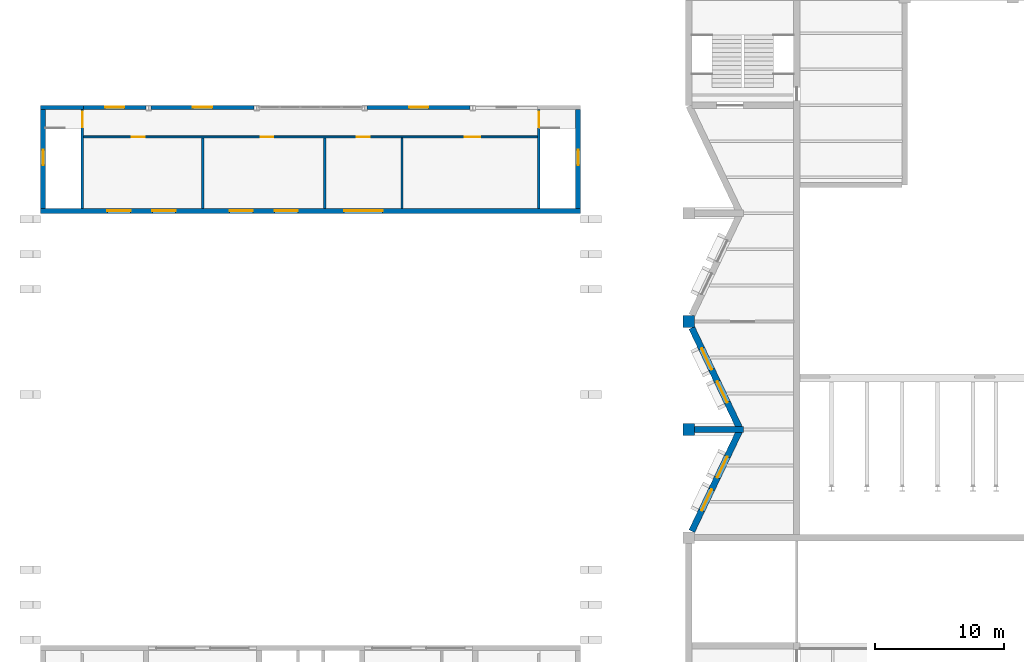
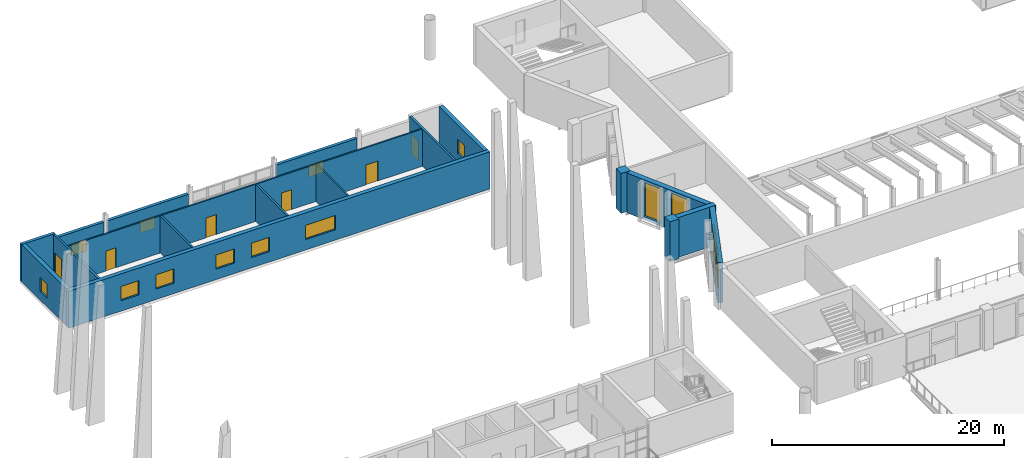
# One storey, part 65 of 96: 18 walls, 14 windows, 6 doors, 20 openings.
"""IFC4 building model written with IfcOpenShell, lengths in metres."""

from ifc_helpers import new_model, si_unit, direction, frame, frame_2d, origin, place, context, subcontext, project, spatial, rectangle, extrude, material, layer, layer_set, type_object, element, fill, save


model = new_model("IFC4")

# Units and contexts
model_context = context("Model", 3, precision=1e-05, world=origin(), true_north=direction((0.0, 1.0)))
body_context = subcontext(model_context, "Body", "Model", "MODEL_VIEW")
ifc_project = project(units=[si_unit("LENGTHUNIT", "METRE"), si_unit("AREAUNIT", "SQUARE_METRE"), si_unit("VOLUMEUNIT", "CUBIC_METRE"), si_unit("PLANEANGLEUNIT", "RADIAN"), si_unit("MASSUNIT", "GRAM", prefix="KILO")], contexts=[model_context])

# Site, building, storey
site_placement = place(None, origin())
site = spatial("IfcSite", under=ifc_project, at=site_placement, CompositionType="ELEMENT")
building_placement = place(site_placement, origin())
building = spatial("IfcBuilding", under=site, at=building_placement, Name="Cresset Court Congress Hotel", CompositionType="ELEMENT")
storey_placement = place(building_placement, frame((0.0, 0.0, 6.0)))
storey = spatial("IfcBuildingStorey", under=building, at=storey_placement, Name="L01", CompositionType="ELEMENT", Elevation=6.0)

# Walls
ifc_material_1 = material(Name="Gypsum board on steel studs with mineral wool", Category="steel")
ifc_layer_1 = layer(ifc_material_1, 0.175048828125)
ifc_layer_set_1 = layer_set([ifc_layer_1], Name="Acoustic double-leaf partition 175")
wall_type_1 = type_object("IfcWallType", Name="Acoustic double-leaf partition 175", PredefinedType="PARTITIONING", material=ifc_layer_set_1)
for number, where, z_axis, x_axis, name in (
    (1, (21.0, 101.199951171875, 0.0), (0.0, 0.0, 1.0), (0.0, 1.0, 0.0), "Partition 21"),
    (2, (30.5, 101.199951171875, 0.0), (0.0, 0.0, 1.0), (0.0, 1.0, 0.0), "Partition 30.5"),
):
    element("IfcWall", number, at=place(storey_placement, frame(where, z_axis=z_axis, x_axis=x_axis)), inside=storey, type_object=wall_type_1, Name=name, PredefinedType="PARTITIONING", context=body_context, shape_type="SweptSolid", body=[
        extrude(rectangle(XDim=5.47509765625, YDim=0.175048828125, at=frame_2d((2.737548828125, 0.0))), origin(), (0.0, 0.0, 1.0), 3.919921875),
    ])

# Wall, openings, doors
ifc_material_2 = material(Name="Gypsum board on steel studs", Category="steel")
ifc_layer_2 = layer(ifc_material_2, 0.14990234375)
ifc_layer_set_2 = layer_set([ifc_layer_2], Name="Fire partition 150")
wall_type_2 = type_object("IfcWallType", Name="Fire partition 150", PredefinedType="PARTITIONING", material=ifc_layer_set_2)
wall_1_placement = place(storey_placement, frame((11.75, 106.75, 0.0), z_axis=(0.0, 0.0, 1.0), x_axis=(1.0, 0.0, 0.0)))
wall_1 = element("IfcWall", 3, at=wall_1_placement, inside=storey, type_object=wall_type_2, Name="Service corridor wall", PredefinedType="PARTITIONING", context=body_context, shape_type="SweptSolid", body=[
    extrude(rectangle(XDim=35.300048828125, YDim=0.14990234375, at=frame_2d((17.64990234375, 0.0))), origin(), (0.0, 0.0, 1.0), 3.919921875),
])
opening_1_placement = place(wall_1_placement, frame((3.75, 0.0, 0.0)))
opening_1 = element("IfcOpeningElement", 4, at=opening_1_placement, cuts=wall_1, Name="Opening DD-01-13", PredefinedType="OPENING", context=body_context, shape_type="SweptSolid", body=[
    extrude(rectangle(XDim=1.0, YDim=2.10009765625, at=frame_2d((0.5, 1.050048828125))), frame((0.0, 0.0849609375, 0.0), z_axis=(0.0, -1.0, 0.0), x_axis=(1.0, 0.0, 0.0)), (0.0, 0.0, 1.0), 0.169921875),
])
opening_2_placement = place(wall_1_placement, frame((13.75, 0.0, 0.0)))
opening_2 = element("IfcOpeningElement", 5, at=opening_2_placement, cuts=wall_1, Name="Opening DD-01-14", PredefinedType="OPENING", context=body_context, shape_type="SweptSolid", body=[
    extrude(rectangle(XDim=1.0, YDim=2.10009765625, at=frame_2d((0.5, 1.050048828125))), frame((0.0, 0.0849609375, 0.0), z_axis=(0.0, -1.0, 0.0), x_axis=(1.0, 0.0, 0.0)), (0.0, 0.0, 1.0), 0.169921875),
])
opening_3_placement = place(wall_1_placement, frame((21.25, 0.0, 0.0)))
opening_3 = element("IfcOpeningElement", 6, at=opening_3_placement, cuts=wall_1, Name="Opening DD-01-15", PredefinedType="OPENING", context=body_context, shape_type="SweptSolid", body=[
    extrude(rectangle(XDim=1.0, YDim=2.10009765625, at=frame_2d((0.5, 1.050048828125))), frame((0.0, 0.0849609375, 0.0), z_axis=(0.0, -1.0, 0.0), x_axis=(1.0, 0.0, 0.0)), (0.0, 0.0, 1.0), 0.169921875),
])
opening_4_placement = place(wall_1_placement, frame((29.64990234375, 0.0, 0.0)))
opening_4 = element("IfcOpeningElement", 7, at=opening_4_placement, cuts=wall_1, Name="Opening DD-01-16", PredefinedType="OPENING", context=body_context, shape_type="SweptSolid", body=[
    extrude(rectangle(XDim=1.199951171875, YDim=2.10009765625, at=frame_2d((0.60009765625, 1.050048828125))), frame((0.0, 0.0849609375, 0.0), z_axis=(0.0, -1.0, 0.0), x_axis=(1.0, 0.0, 0.0)), (0.0, 0.0, 1.0), 0.169921875),
])
ifc_material_3 = material(Name="Timber door leaf", Category="wood")
door_type_1 = type_object("IfcDoorType", Name="Plant room door 1200x2100", OperationType="SINGLE_SWING_LEFT", PredefinedType="DOOR", material=ifc_material_3)
door_1_placement = place(opening_4_placement, origin())
door_1 = element("IfcDoor", 8, at=door_1_placement, inside=storey, type_object=door_type_1, Name="Plant room door DD-01-16", OperationType="SINGLE_SWING_LEFT", OverallHeight=2.10009765625, OverallWidth=1.199951171875, PredefinedType="DOOR", context=body_context, shape_type="SweptSolid", body=[
    extrude(rectangle(XDim=1.199951171875, YDim=2.10009765625, at=frame_2d((0.60009765625, 1.050048828125))), frame((0.0, 0.02490234375, 0.0), z_axis=(0.0, -1.0, 0.0), x_axis=(1.0, 0.0, 0.0)), (0.0, 0.0, 1.0), 0.050048828125),
])
fill(opening_4, door_1)
ifc_material_4 = material(Name="Timber door leaf", Category="wood")
door_type_2 = type_object("IfcDoorType", Name="Room door 1000x2100", OperationType="SINGLE_SWING_LEFT", PredefinedType="DOOR", material=ifc_material_4)
door_2_placement = place(opening_1_placement, origin())
door_2 = element("IfcDoor", 9, at=door_2_placement, inside=storey, type_object=door_type_2, Name="Room door DD-01-13", OperationType="SINGLE_SWING_LEFT", OverallHeight=2.10009765625, OverallWidth=1.0, PredefinedType="DOOR", context=body_context, shape_type="SweptSolid", body=[
    extrude(rectangle(XDim=1.0, YDim=2.10009765625, at=frame_2d((0.5, 1.050048828125))), frame((0.0, 0.02490234375, 0.0), z_axis=(0.0, -1.0, 0.0), x_axis=(1.0, 0.0, 0.0)), (0.0, 0.0, 1.0), 0.050048828125),
])
fill(opening_1, door_2)
door_3_placement = place(opening_2_placement, origin())
door_3 = element("IfcDoor", 10, at=door_3_placement, inside=storey, type_object=door_type_2, Name="Room door DD-01-14", OperationType="SINGLE_SWING_LEFT", OverallHeight=2.10009765625, OverallWidth=1.0, PredefinedType="DOOR", context=body_context, shape_type="SweptSolid", body=[
    extrude(rectangle(XDim=1.0, YDim=2.10009765625, at=frame_2d((0.5, 1.050048828125))), frame((0.0, 0.02490234375, 0.0), z_axis=(0.0, -1.0, 0.0), x_axis=(1.0, 0.0, 0.0)), (0.0, 0.0, 1.0), 0.050048828125),
])
fill(opening_2, door_3)
door_4_placement = place(opening_3_placement, origin())
door_4 = element("IfcDoor", 11, at=door_4_placement, inside=storey, type_object=door_type_2, Name="Room door DD-01-15", OperationType="SINGLE_SWING_LEFT", OverallHeight=2.10009765625, OverallWidth=1.0, PredefinedType="DOOR", context=body_context, shape_type="SweptSolid", body=[
    extrude(rectangle(XDim=1.0, YDim=2.10009765625, at=frame_2d((0.5, 1.050048828125))), frame((0.0, 0.02490234375, 0.0), z_axis=(0.0, -1.0, 0.0), x_axis=(1.0, 0.0, 0.0)), (0.0, 0.0, 1.0), 0.050048828125),
])
fill(opening_3, door_4)

# Wall
wall_2_placement = place(storey_placement, frame((36.5, 101.199951171875, 0.0), z_axis=(0.0, 0.0, 1.0), x_axis=(0.0, 1.0, 0.0)))
element("IfcWall", 12, at=wall_2_placement, inside=storey, type_object=wall_type_2, Name="Partition 36.5", PredefinedType="PARTITIONING", context=body_context, shape_type="SweptSolid", body=[
    extrude(rectangle(XDim=5.47509765625, YDim=0.14990234375, at=frame_2d((2.737548828125, 0.0))), origin(), (0.0, 0.0, 1.0), 3.919921875),
])

# Wall, openings, windows
ifc_material_5 = material(Name="Limestone-faced precast concrete C50", Category="masonry")
ifc_layer_3 = layer(ifc_material_5, 0.5)
ifc_layer_set_3 = layer_set([ifc_layer_3], Name="Hall perimeter wall 500")
wall_type_3 = type_object("IfcWallType", Name="Hall perimeter wall 500", PredefinedType="SOLIDWALL", material=ifc_layer_set_3)
wall_3_placement = place(storey_placement, frame((62.734619140625, 84.137451171875, 0.0), z_axis=(0.0, 0.0, 1.0), x_axis=(-0.429945705131, 0.902854745039, 0.0)))
wall_3 = element("IfcWall", 13, at=wall_3_placement, inside=storey, type_object=wall_type_3, Name="Wall CW-WL01-3", PredefinedType="SOLIDWALL", context=body_context, shape_type="SweptSolid", body=[
    extrude(rectangle(XDim=8.59765625, YDim=0.5, at=frame_2d((4.298828125, 0.0))), origin(), (0.0, 0.0, 1.0), 4.199951171875),
])
opening_5_placement = place(wall_3_placement, frame((5.01171875, 0.0, 0.300048828125)))
opening_5 = element("IfcOpeningElement", 14, at=opening_5_placement, cuts=wall_3, Name="Opening NC-01-W0281", PredefinedType="OPENING", context=body_context, shape_type="SweptSolid", body=[
    extrude(rectangle(XDim=1.800048828125, YDim=3.60009765625, at=frame_2d((0.89990234375, 1.800048828125))), frame((0.0, 0.260009765625, 0.0), z_axis=(0.0, -1.0, 0.0), x_axis=(1.0, 0.0, 0.0)), (0.0, 0.0, 1.0), 0.52001953125),
])
opening_6_placement = place(wall_3_placement, frame((2.1875, 0.0, 0.300048828125)))
opening_6 = element("IfcOpeningElement", 15, at=opening_6_placement, cuts=wall_3, Name="Opening NC-01-W0306", PredefinedType="OPENING", context=body_context, shape_type="SweptSolid", body=[
    extrude(rectangle(XDim=1.800048828125, YDim=3.60009765625, at=frame_2d((0.89990234375, 1.800048828125))), frame((0.0, 0.260009765625, 0.0), z_axis=(0.0, -1.0, 0.0), x_axis=(1.0, 0.0, 0.0)), (0.0, 0.0, 1.0), 0.52001953125),
])
ifc_material_6 = material(Name="Aluminium and glass", Category="aluminium")
window_type_1 = type_object("IfcWindowType", Name="Fixed window 1800x3600", PartitioningType="SINGLE_PANEL", PredefinedType="WINDOW", material=ifc_material_6)
window_1_placement = place(opening_5_placement, origin())
window_1 = element("IfcWindow", 16, at=window_1_placement, inside=storey, type_object=window_type_1, Name="Window NC-01-W0281", OverallHeight=3.60009765625, OverallWidth=1.800048828125, PartitioningType="SINGLE_PANEL", PredefinedType="WINDOW", context=body_context, shape_type="SweptSolid", body=[
    extrude(rectangle(XDim=1.800048828125, YDim=3.60009765625, at=frame_2d((0.89990234375, 1.800048828125))), frame((0.0, 0.030029296875, 0.0), z_axis=(0.0, -1.0, 0.0), x_axis=(1.0, 0.0, 0.0)), (0.0, 0.0, 1.0), 0.06005859375),
])
fill(opening_5, window_1)
window_2_placement = place(opening_6_placement, origin())
window_2 = element("IfcWindow", 17, at=window_2_placement, inside=storey, type_object=window_type_1, Name="Window NC-01-W0306", OverallHeight=3.60009765625, OverallWidth=1.800048828125, PartitioningType="SINGLE_PANEL", PredefinedType="WINDOW", context=body_context, shape_type="SweptSolid", body=[
    extrude(rectangle(XDim=1.800048828125, YDim=3.60009765625, at=frame_2d((0.89990234375, 1.800048828125))), frame((0.0, 0.030029296875, 0.0), z_axis=(0.0, -1.0, 0.0), x_axis=(1.0, 0.0, 0.0)), (0.0, 0.0, 1.0), 0.06005859375),
])
fill(opening_6, window_2)

wall_4_placement = place(storey_placement, frame((59.0380859375, 76.10009765625, 0.0), z_axis=(0.0, 0.0, 1.0), x_axis=(0.429945705131, 0.902854745039, 0.0)))
wall_4 = element("IfcWall", 18, at=wall_4_placement, inside=storey, type_object=wall_type_3, Name="Wall CW-WL01-4", PredefinedType="SOLIDWALL", context=body_context, shape_type="SweptSolid", body=[
    extrude(rectangle(XDim=8.59765625, YDim=0.5, at=frame_2d((4.298828125, 0.0))), origin(), (0.0, 0.0, 1.0), 4.199951171875),
])
opening_7_placement = place(wall_4_placement, frame((4.6103515625, 0.0, 0.300048828125)))
opening_7 = element("IfcOpeningElement", 19, at=opening_7_placement, cuts=wall_4, Name="Opening NC-01-W0365", PredefinedType="OPENING", context=body_context, shape_type="SweptSolid", body=[
    extrude(rectangle(XDim=1.800048828125, YDim=3.60009765625, at=frame_2d((0.89990234375, 1.800048828125))), frame((0.0, 0.260009765625, 0.0), z_axis=(0.0, -1.0, 0.0), x_axis=(1.0, 0.0, 0.0)), (0.0, 0.0, 1.0), 0.52001953125),
])
opening_8_placement = place(wall_4_placement, frame((1.785888671875, 0.0, 0.300048828125)))
opening_8 = element("IfcOpeningElement", 20, at=opening_8_placement, cuts=wall_4, Name="Opening NC-01-W0390", PredefinedType="OPENING", context=body_context, shape_type="SweptSolid", body=[
    extrude(rectangle(XDim=1.800048828125, YDim=3.60009765625, at=frame_2d((0.89990234375, 1.800048828125))), frame((0.0, 0.260009765625, 0.0), z_axis=(0.0, -1.0, 0.0), x_axis=(1.0, 0.0, 0.0)), (0.0, 0.0, 1.0), 0.52001953125),
])
window_3_placement = place(opening_7_placement, origin())
window_3 = element("IfcWindow", 21, at=window_3_placement, inside=storey, type_object=window_type_1, Name="Window NC-01-W0365", OverallHeight=3.60009765625, OverallWidth=1.800048828125, PartitioningType="SINGLE_PANEL", PredefinedType="WINDOW", context=body_context, shape_type="SweptSolid", body=[
    extrude(rectangle(XDim=1.800048828125, YDim=3.60009765625, at=frame_2d((0.89990234375, 1.800048828125))), frame((0.0, 0.030029296875, 0.0), z_axis=(0.0, -1.0, 0.0), x_axis=(1.0, 0.0, 0.0)), (0.0, 0.0, 1.0), 0.06005859375),
])
fill(opening_7, window_3)
window_4_placement = place(opening_8_placement, origin())
window_4 = element("IfcWindow", 22, at=window_4_placement, inside=storey, type_object=window_type_1, Name="Window NC-01-W0390", OverallHeight=3.60009765625, OverallWidth=1.800048828125, PartitioningType="SINGLE_PANEL", PredefinedType="WINDOW", context=body_context, shape_type="SweptSolid", body=[
    extrude(rectangle(XDim=1.800048828125, YDim=3.60009765625, at=frame_2d((0.89990234375, 1.800048828125))), frame((0.0, 0.030029296875, 0.0), z_axis=(0.0, -1.0, 0.0), x_axis=(1.0, 0.0, 0.0)), (0.0, 0.0, 1.0), 0.06005859375),
])
fill(opening_8, window_4)

# Walls
wall_5_placement = place(storey_placement, frame((63.050048828125, 84.0, 0.0), z_axis=(0.0, 0.0, 1.0), x_axis=(-1.0, 0.0, 0.0)))
element("IfcWall", 23, at=wall_5_placement, inside=storey, type_object=wall_type_3, Name="Wall CW-WL01-R2", PredefinedType="SOLIDWALL", context=body_context, shape_type="SweptSolid", body=[
    extrude(rectangle(XDim=3.800048828125, YDim=0.5, at=frame_2d((1.89990234375, 0.0))), origin(), (0.0, 0.0, 1.0), 4.199951171875),
])
ifc_material_7 = material(Name="Concrete C50", Category="concrete")
ifc_layer_4 = layer(ifc_material_7, 0.89990234375)
ifc_layer_set_4 = layer_set([ifc_layer_4], Name="Hall pilaster 900x900")
wall_type_4 = type_object("IfcWallType", Name="Hall pilaster 900x900", PredefinedType="SOLIDWALL", material=ifc_layer_set_4)
wall_6_placement = place(storey_placement, frame((58.800048828125, 92.85009765625, 0.0), z_axis=(0.0, 0.0, 1.0), x_axis=(0.0, -1.0, 0.0)))
element("IfcWall", 24, at=wall_6_placement, inside=storey, type_object=wall_type_4, Name="Pilaster P-W2", PredefinedType="SOLIDWALL", context=body_context, shape_type="SweptSolid", body=[
    extrude(rectangle(XDim=0.900146484375, YDim=0.89990234375, at=frame_2d((0.4501953125, 0.0))), origin(), (0.0, 0.0, 1.0), 4.199951171875),
])
wall_7_placement = place(storey_placement, frame((58.800048828125, 84.449951171875, 0.0), z_axis=(0.0, 0.0, 1.0), x_axis=(0.0, -1.0, 0.0)))
element("IfcWall", 25, at=wall_7_placement, inside=storey, type_object=wall_type_4, Name="Pilaster P-W3", PredefinedType="SOLIDWALL", context=body_context, shape_type="SweptSolid", body=[
    extrude(rectangle(XDim=0.89990234375, YDim=0.89990234375, at=frame_2d((0.449951171875, 0.0))), origin(), (0.0, 0.0, 1.0), 4.199951171875),
])
ifc_material_8 = material(Name="Precast concrete C50", Category="concrete")
ifc_layer_5 = layer(ifc_material_8, 0.300048828125)
ifc_layer_set_5 = layer_set([ifc_layer_5], Name="Precast external wall 300 C50")
wall_type_5 = type_object("IfcWallType", Name="Precast external wall 300 C50", PredefinedType="SOLIDWALL", material=ifc_layer_set_5)
wall_8_placement = place(storey_placement, frame((8.39990234375, 109.050048828125, 0.0), z_axis=(0.0, 0.0, 1.0), x_axis=(1.0, 0.0, 0.0)))
element("IfcWall", 26, at=wall_8_placement, inside=storey, type_object=wall_type_5, Name="North external wall L01 1", PredefinedType="SOLIDWALL", context=body_context, shape_type="SweptSolid", body=[
    extrude(rectangle(XDim=3.35009765625, YDim=0.300048828125, at=frame_2d((1.675048828125, 0.0))), origin(), (0.0, 0.0, 1.0), 3.919921875),
])

# Wall, opening, window
wall_9_placement = place(storey_placement, frame((11.75, 109.050048828125, 0.0), z_axis=(0.0, 0.0, 1.0), x_axis=(1.0, 0.0, 0.0)))
wall_9 = element("IfcWall", 27, at=wall_9_placement, inside=storey, type_object=wall_type_5, Name="North external wall L01 2", PredefinedType="SOLIDWALL", context=body_context, shape_type="SweptSolid", body=[
    extrude(rectangle(XDim=4.85009765625, YDim=0.300048828125, at=frame_2d((2.425048828125, 0.0))), origin(), (0.0, 0.0, 1.0), 3.419921875),
])
opening_9_placement = place(wall_9_placement, frame((1.675048828125, 0.0, 0.89990234375)))
opening_9 = element("IfcOpeningElement", 28, at=opening_9_placement, cuts=wall_9, Name="Opening ND-01-01", PredefinedType="OPENING", context=body_context, shape_type="SweptSolid", body=[
    extrude(rectangle(XDim=1.5, YDim=1.199951171875, at=frame_2d((0.75, 0.60009765625))), frame((0.0, 0.159912109375, 0.0), z_axis=(0.0, -1.0, 0.0), x_axis=(1.0, 0.0, 0.0)), (0.0, 0.0, 1.0), 0.320068359375),
])
ifc_material_9 = material(Name="Aluminium frame with insulated glass", Category="aluminium")
window_type_2 = type_object("IfcWindowType", Name="Window 1500x1200", PartitioningType="SINGLE_PANEL", PredefinedType="WINDOW", material=ifc_material_9)
window_5_placement = place(opening_9_placement, origin())
window_5 = element("IfcWindow", 29, at=window_5_placement, inside=storey, type_object=window_type_2, Name="Window ND-01-01", OverallHeight=1.199951171875, OverallWidth=1.5, PartitioningType="SINGLE_PANEL", PredefinedType="WINDOW", context=body_context, shape_type="SweptSolid", body=[
    extrude(rectangle(XDim=1.5, YDim=1.199951171875, at=frame_2d((0.75, 0.60009765625))), frame((0.0, 0.030029296875, 0.0), z_axis=(0.0, -1.0, 0.0), x_axis=(1.0, 0.0, 0.0)), (0.0, 0.0, 1.0), 0.06005859375),
])
fill(opening_9, window_5)

wall_10_placement = place(storey_placement, frame((17.0, 109.050048828125, 0.0), z_axis=(0.0, 0.0, 1.0), x_axis=(1.0, 0.0, 0.0)))
wall_10 = element("IfcWall", 30, at=wall_10_placement, inside=storey, type_object=wall_type_5, Name="North external wall L01 3", PredefinedType="SOLIDWALL", context=body_context, shape_type="SweptSolid", body=[
    extrude(rectangle(XDim=8.0, YDim=0.300048828125, at=frame_2d((4.0, 0.0))), origin(), (0.0, 0.0, 1.0), 3.419921875),
])
opening_10_placement = place(wall_10_placement, frame((3.25, 0.0, 0.89990234375)))
opening_10 = element("IfcOpeningElement", 31, at=opening_10_placement, cuts=wall_10, Name="Opening ND-01-02", PredefinedType="OPENING", context=body_context, shape_type="SweptSolid", body=[
    extrude(rectangle(XDim=1.5, YDim=1.199951171875, at=frame_2d((0.75, 0.60009765625))), frame((0.0, 0.159912109375, 0.0), z_axis=(0.0, -1.0, 0.0), x_axis=(1.0, 0.0, 0.0)), (0.0, 0.0, 1.0), 0.320068359375),
])
window_6_placement = place(opening_10_placement, origin())
window_6 = element("IfcWindow", 32, at=window_6_placement, inside=storey, type_object=window_type_2, Name="Window ND-01-02", OverallHeight=1.199951171875, OverallWidth=1.5, PartitioningType="SINGLE_PANEL", PredefinedType="WINDOW", context=body_context, shape_type="SweptSolid", body=[
    extrude(rectangle(XDim=1.5, YDim=1.199951171875, at=frame_2d((0.75, 0.60009765625))), frame((0.0, 0.030029296875, 0.0), z_axis=(0.0, -1.0, 0.0), x_axis=(1.0, 0.0, 0.0)), (0.0, 0.0, 1.0), 0.06005859375),
])
fill(opening_10, window_6)

wall_11_placement = place(storey_placement, frame((33.800048828125, 109.050048828125, 0.0), z_axis=(0.0, 0.0, 1.0), x_axis=(1.0, 0.0, 0.0)))
wall_11 = element("IfcWall", 33, at=wall_11_placement, inside=storey, type_object=wall_type_5, Name="North external wall L01 5", PredefinedType="SOLIDWALL", context=body_context, shape_type="SweptSolid", body=[
    extrude(rectangle(XDim=8.0, YDim=0.300048828125, at=frame_2d((4.0, 0.0))), origin(), (0.0, 0.0, 1.0), 3.419921875),
])
opening_11_placement = place(wall_11_placement, frame((3.25, 0.0, 0.89990234375)))
opening_11 = element("IfcOpeningElement", 34, at=opening_11_placement, cuts=wall_11, Name="Opening ND-01-03", PredefinedType="OPENING", context=body_context, shape_type="SweptSolid", body=[
    extrude(rectangle(XDim=1.5, YDim=1.199951171875, at=frame_2d((0.75, 0.60009765625))), frame((0.0, 0.159912109375, 0.0), z_axis=(0.0, -1.0, 0.0), x_axis=(1.0, 0.0, 0.0)), (0.0, 0.0, 1.0), 0.320068359375),
])
window_7_placement = place(opening_11_placement, origin())
window_7 = element("IfcWindow", 35, at=window_7_placement, inside=storey, type_object=window_type_2, Name="Window ND-01-03", OverallHeight=1.199951171875, OverallWidth=1.5, PartitioningType="SINGLE_PANEL", PredefinedType="WINDOW", context=body_context, shape_type="SweptSolid", body=[
    extrude(rectangle(XDim=1.5, YDim=1.199951171875, at=frame_2d((0.75, 0.60009765625))), frame((0.0, 0.030029296875, 0.0), z_axis=(0.0, -1.0, 0.0), x_axis=(1.0, 0.0, 0.0)), (0.0, 0.0, 1.0), 0.06005859375),
])
fill(opening_11, window_7)

ifc_material_10 = material(Name="Concrete C50", Category="concrete")
ifc_layer_6 = layer(ifc_material_10, 0.39990234375)
ifc_layer_set_6 = layer_set([ifc_layer_6], Name="RC core wall 400 C50 external")
wall_type_6 = type_object("IfcWallType", Name="RC core wall 400 C50 external", PredefinedType="SOLIDWALL", material=ifc_layer_set_6)
wall_12_placement = place(storey_placement, frame((8.60009765625, 101.199951171875, 0.0), z_axis=(0.0, 0.0, 1.0), x_axis=(0.0, 1.0, 0.0)))
wall_12 = element("IfcWall", 36, at=wall_12_placement, inside=storey, type_object=wall_type_6, Name="Service stair W outer wall", PredefinedType="SOLIDWALL", context=body_context, shape_type="SweptSolid", body=[
    extrude(rectangle(XDim=7.699951171875, YDim=0.39990234375, at=frame_2d((3.85009765625, 0.0))), origin(), (0.0, 0.0, 1.0), 3.919921875),
])
opening_12_placement = place(wall_12_placement, frame((3.35009765625, 0.0, 0.89990234375)))
opening_12 = element("IfcOpeningElement", 37, at=opening_12_placement, cuts=wall_12, Name="Opening ND-01-05", PredefinedType="OPENING", context=body_context, shape_type="SweptSolid", body=[
    extrude(rectangle(XDim=1.199951171875, YDim=1.5, at=frame_2d((0.60009765625, 0.75))), frame((0.0, 0.2099609375, 0.0), z_axis=(0.0, -1.0, 0.0), x_axis=(1.0, 0.0, 0.0)), (0.0, 0.0, 1.0), 0.419921875),
])
ifc_material_11 = material(Name="Aluminium frame with insulated glass", Category="aluminium")
window_type_3 = type_object("IfcWindowType", Name="Window 1200x1500", PartitioningType="SINGLE_PANEL", PredefinedType="WINDOW", material=ifc_material_11)
window_8_placement = place(opening_12_placement, origin())
window_8 = element("IfcWindow", 38, at=window_8_placement, inside=storey, type_object=window_type_3, Name="Window ND-01-05", OverallHeight=1.5, OverallWidth=1.199951171875, PartitioningType="SINGLE_PANEL", PredefinedType="WINDOW", context=body_context, shape_type="SweptSolid", body=[
    extrude(rectangle(XDim=1.199951171875, YDim=1.5, at=frame_2d((0.60009765625, 0.75))), frame((0.0, 0.030029296875, 0.0), z_axis=(0.0, -1.0, 0.0), x_axis=(1.0, 0.0, 0.0)), (0.0, 0.0, 1.0), 0.06005859375),
])
fill(opening_12, window_8)

wall_13_placement = place(storey_placement, frame((50.199951171875, 101.199951171875, 0.0), z_axis=(0.0, 0.0, 1.0), x_axis=(0.0, 1.0, 0.0)))
wall_13 = element("IfcWall", 39, at=wall_13_placement, inside=storey, type_object=wall_type_6, Name="Service stair E outer wall", PredefinedType="SOLIDWALL", context=body_context, shape_type="SweptSolid", body=[
    extrude(rectangle(XDim=7.699951171875, YDim=0.39990234375, at=frame_2d((3.85009765625, 0.0))), origin(), (0.0, 0.0, 1.0), 3.919921875),
])
opening_13_placement = place(wall_13_placement, frame((3.35009765625, 0.0, 0.89990234375)))
opening_13 = element("IfcOpeningElement", 40, at=opening_13_placement, cuts=wall_13, Name="Opening ND-01-06", PredefinedType="OPENING", context=body_context, shape_type="SweptSolid", body=[
    extrude(rectangle(XDim=1.199951171875, YDim=1.5, at=frame_2d((0.60009765625, 0.75))), frame((0.0, 0.2099609375, 0.0), z_axis=(0.0, -1.0, 0.0), x_axis=(1.0, 0.0, 0.0)), (0.0, 0.0, 1.0), 0.419921875),
])
window_9_placement = place(opening_13_placement, origin())
window_9 = element("IfcWindow", 41, at=window_9_placement, inside=storey, type_object=window_type_3, Name="Window ND-01-06", OverallHeight=1.5, OverallWidth=1.199951171875, PartitioningType="SINGLE_PANEL", PredefinedType="WINDOW", context=body_context, shape_type="SweptSolid", body=[
    extrude(rectangle(XDim=1.199951171875, YDim=1.5, at=frame_2d((0.60009765625, 0.75))), frame((0.0, 0.030029296875, 0.0), z_axis=(0.0, -1.0, 0.0), x_axis=(1.0, 0.0, 0.0)), (0.0, 0.0, 1.0), 0.06005859375),
])
fill(opening_13, window_9)

# Wall, openings, windows
ifc_material_12 = material(Name="Concrete C40", Category="concrete")
ifc_layer_7 = layer(ifc_material_12, 0.39990234375)
ifc_layer_set_7 = layer_set([ifc_layer_7], Name="RC hall wall 400 C40")
wall_type_7 = type_object("IfcWallType", Name="RC hall wall 400 C40", PredefinedType="SOLIDWALL", material=ifc_layer_set_7)
wall_14_placement = place(storey_placement, frame((8.39990234375, 101.0, 0.0), z_axis=(0.0, 0.0, 1.0), x_axis=(1.0, 0.0, 0.0)))
wall_14 = element("IfcWall", 42, at=wall_14_placement, inside=storey, type_object=wall_type_7, Name="Hall north wall L01", PredefinedType="SOLIDWALL", context=body_context, shape_type="SweptSolid", body=[
    extrude(rectangle(XDim=42.0, YDim=0.39990234375, at=frame_2d((21.0, 0.0))), origin(), (0.0, 0.0, 1.0), 3.919921875),
])
opening_14_placement = place(wall_14_placement, frame((5.199951171875, 0.0, 1.10009765625)))
opening_14 = element("IfcOpeningElement", 43, at=opening_14_placement, cuts=wall_14, Name="Opening ND-01-13", PredefinedType="OPENING", context=body_context, shape_type="SweptSolid", body=[
    extrude(rectangle(XDim=1.800048828125, YDim=1.5, at=frame_2d((0.89990234375, 0.75))), frame((0.0, 0.2099609375, 0.0), z_axis=(0.0, -1.0, 0.0), x_axis=(1.0, 0.0, 0.0)), (0.0, 0.0, 1.0), 0.419921875),
])
opening_15_placement = place(wall_14_placement, frame((8.699951171875, 0.0, 1.10009765625)))
opening_15 = element("IfcOpeningElement", 44, at=opening_15_placement, cuts=wall_14, Name="Opening ND-01-14", PredefinedType="OPENING", context=body_context, shape_type="SweptSolid", body=[
    extrude(rectangle(XDim=1.800048828125, YDim=1.5, at=frame_2d((0.89990234375, 0.75))), frame((0.0, 0.2099609375, 0.0), z_axis=(0.0, -1.0, 0.0), x_axis=(1.0, 0.0, 0.0)), (0.0, 0.0, 1.0), 0.419921875),
])
opening_16_placement = place(wall_14_placement, frame((14.699951171875, 0.0, 1.10009765625)))
opening_16 = element("IfcOpeningElement", 45, at=opening_16_placement, cuts=wall_14, Name="Opening ND-01-15", PredefinedType="OPENING", context=body_context, shape_type="SweptSolid", body=[
    extrude(rectangle(XDim=1.800048828125, YDim=1.5, at=frame_2d((0.89990234375, 0.75))), frame((0.0, 0.2099609375, 0.0), z_axis=(0.0, -1.0, 0.0), x_axis=(1.0, 0.0, 0.0)), (0.0, 0.0, 1.0), 0.419921875),
])
opening_17_placement = place(wall_14_placement, frame((18.199951171875, 0.0, 1.10009765625)))
opening_17 = element("IfcOpeningElement", 46, at=opening_17_placement, cuts=wall_14, Name="Opening ND-01-16", PredefinedType="OPENING", context=body_context, shape_type="SweptSolid", body=[
    extrude(rectangle(XDim=1.800048828125, YDim=1.5, at=frame_2d((0.89990234375, 0.75))), frame((0.0, 0.2099609375, 0.0), z_axis=(0.0, -1.0, 0.0), x_axis=(1.0, 0.0, 0.0)), (0.0, 0.0, 1.0), 0.419921875),
])
opening_18_placement = place(wall_14_placement, frame((23.60009765625, 0.0, 1.10009765625)))
opening_18 = element("IfcOpeningElement", 47, at=opening_18_placement, cuts=wall_14, Name="Opening ND-01-17", PredefinedType="OPENING", context=body_context, shape_type="SweptSolid", body=[
    extrude(rectangle(XDim=3.0, YDim=1.5, at=frame_2d((1.5, 0.75))), frame((0.0, 0.2099609375, 0.0), z_axis=(0.0, -1.0, 0.0), x_axis=(1.0, 0.0, 0.0)), (0.0, 0.0, 1.0), 0.419921875),
])
ifc_material_13 = material(Name="Aluminium frame with insulated glass", Category="aluminium")
window_type_4 = type_object("IfcWindowType", Name="Window 1800x1500", PartitioningType="SINGLE_PANEL", PredefinedType="WINDOW", material=ifc_material_13)
window_10_placement = place(opening_14_placement, origin())
window_10 = element("IfcWindow", 48, at=window_10_placement, inside=storey, type_object=window_type_4, Name="Window ND-01-13", OverallHeight=1.5, OverallWidth=1.800048828125, PartitioningType="SINGLE_PANEL", PredefinedType="WINDOW", context=body_context, shape_type="SweptSolid", body=[
    extrude(rectangle(XDim=1.800048828125, YDim=1.5, at=frame_2d((0.89990234375, 0.75))), frame((0.0, 0.030029296875, 0.0), z_axis=(0.0, -1.0, 0.0), x_axis=(1.0, 0.0, 0.0)), (0.0, 0.0, 1.0), 0.06005859375),
])
fill(opening_14, window_10)
window_11_placement = place(opening_15_placement, origin())
window_11 = element("IfcWindow", 49, at=window_11_placement, inside=storey, type_object=window_type_4, Name="Window ND-01-14", OverallHeight=1.5, OverallWidth=1.800048828125, PartitioningType="SINGLE_PANEL", PredefinedType="WINDOW", context=body_context, shape_type="SweptSolid", body=[
    extrude(rectangle(XDim=1.800048828125, YDim=1.5, at=frame_2d((0.89990234375, 0.75))), frame((0.0, 0.030029296875, 0.0), z_axis=(0.0, -1.0, 0.0), x_axis=(1.0, 0.0, 0.0)), (0.0, 0.0, 1.0), 0.06005859375),
])
fill(opening_15, window_11)
window_12_placement = place(opening_16_placement, origin())
window_12 = element("IfcWindow", 50, at=window_12_placement, inside=storey, type_object=window_type_4, Name="Window ND-01-15", OverallHeight=1.5, OverallWidth=1.800048828125, PartitioningType="SINGLE_PANEL", PredefinedType="WINDOW", context=body_context, shape_type="SweptSolid", body=[
    extrude(rectangle(XDim=1.800048828125, YDim=1.5, at=frame_2d((0.89990234375, 0.75))), frame((0.0, 0.030029296875, 0.0), z_axis=(0.0, -1.0, 0.0), x_axis=(1.0, 0.0, 0.0)), (0.0, 0.0, 1.0), 0.06005859375),
])
fill(opening_16, window_12)
window_13_placement = place(opening_17_placement, origin())
window_13 = element("IfcWindow", 51, at=window_13_placement, inside=storey, type_object=window_type_4, Name="Window ND-01-16", OverallHeight=1.5, OverallWidth=1.800048828125, PartitioningType="SINGLE_PANEL", PredefinedType="WINDOW", context=body_context, shape_type="SweptSolid", body=[
    extrude(rectangle(XDim=1.800048828125, YDim=1.5, at=frame_2d((0.89990234375, 0.75))), frame((0.0, 0.030029296875, 0.0), z_axis=(0.0, -1.0, 0.0), x_axis=(1.0, 0.0, 0.0)), (0.0, 0.0, 1.0), 0.06005859375),
])
fill(opening_17, window_13)
ifc_material_14 = material(Name="Aluminium frame with insulated glass", Category="aluminium")
window_type_5 = type_object("IfcWindowType", Name="Window 3000x1500", PartitioningType="SINGLE_PANEL", PredefinedType="WINDOW", material=ifc_material_14)
window_14_placement = place(opening_18_placement, origin())
window_14 = element("IfcWindow", 52, at=window_14_placement, inside=storey, type_object=window_type_5, Name="Window ND-01-17", OverallHeight=1.5, OverallWidth=3.0, PartitioningType="SINGLE_PANEL", PredefinedType="WINDOW", context=body_context, shape_type="SweptSolid", body=[
    extrude(rectangle(XDim=3.0, YDim=1.5, at=frame_2d((1.5, 0.75))), frame((0.0, 0.030029296875, 0.0), z_axis=(0.0, -1.0, 0.0), x_axis=(1.0, 0.0, 0.0)), (0.0, 0.0, 1.0), 0.06005859375),
])
fill(opening_18, window_14)

# Wall, opening, door
ifc_material_15 = material(Name="Concrete C40", Category="concrete")
ifc_layer_8 = layer(ifc_material_15, 0.199951171875)
ifc_layer_set_8 = layer_set([ifc_layer_8], Name="RC stair enclosure wall 200 C40")
wall_type_8 = type_object("IfcWallType", Name="RC stair enclosure wall 200 C40", PredefinedType="SOLIDWALL", material=ifc_layer_set_8)
wall_15_placement = place(storey_placement, frame((11.64990234375, 101.199951171875, 0.0), z_axis=(0.0, 0.0, 1.0), x_axis=(0.0, 1.0, 0.0)))
wall_15 = element("IfcWall", 53, at=wall_15_placement, inside=storey, type_object=wall_type_8, Name="Service stair W inner wall", PredefinedType="SOLIDWALL", context=body_context, shape_type="SweptSolid", body=[
    extrude(rectangle(XDim=7.699951171875, YDim=0.199951171875, at=frame_2d((3.85009765625, 0.0))), origin(), (0.0, 0.0, 1.0), 3.919921875),
])
opening_19_placement = place(wall_15_placement, frame((6.300048828125, 0.0, 0.0)))
opening_19 = element("IfcOpeningElement", 54, at=opening_19_placement, cuts=wall_15, Name="Opening DD-01-17", PredefinedType="OPENING", context=body_context, shape_type="SweptSolid", body=[
    extrude(rectangle(XDim=1.199951171875, YDim=2.10009765625, at=frame_2d((0.60009765625, 1.050048828125))), frame((0.0, 0.10986328125, 0.0), z_axis=(0.0, -1.0, 0.0), x_axis=(1.0, 0.0, 0.0)), (0.0, 0.0, 1.0), 0.219970703125),
])
ifc_material_16 = material(Name="Timber door leaf", Category="wood")
door_type_3 = type_object("IfcDoorType", Name="Stair lobby door 1200x2100", OperationType="SINGLE_SWING_LEFT", PredefinedType="DOOR", material=ifc_material_16)
door_5_placement = place(opening_19_placement, origin())
door_5 = element("IfcDoor", 55, at=door_5_placement, inside=storey, type_object=door_type_3, Name="Stair lobby door DD-01-17", OperationType="SINGLE_SWING_LEFT", OverallHeight=2.10009765625, OverallWidth=1.199951171875, PredefinedType="DOOR", context=body_context, shape_type="SweptSolid", body=[
    extrude(rectangle(XDim=1.199951171875, YDim=2.10009765625, at=frame_2d((0.60009765625, 1.050048828125))), frame((0.0, 0.02490234375, 0.0), z_axis=(0.0, -1.0, 0.0), x_axis=(1.0, 0.0, 0.0)), (0.0, 0.0, 1.0), 0.050048828125),
])
fill(opening_19, door_5)

wall_16_placement = place(storey_placement, frame((47.14990234375, 101.199951171875, 0.0), z_axis=(0.0, 0.0, 1.0), x_axis=(0.0, 1.0, 0.0)))
wall_16 = element("IfcWall", 56, at=wall_16_placement, inside=storey, type_object=wall_type_8, Name="Service stair E inner wall", PredefinedType="SOLIDWALL", context=body_context, shape_type="SweptSolid", body=[
    extrude(rectangle(XDim=7.699951171875, YDim=0.199951171875, at=frame_2d((3.85009765625, 0.0))), origin(), (0.0, 0.0, 1.0), 3.919921875),
])
opening_20_placement = place(wall_16_placement, frame((6.300048828125, 0.0, 0.0)))
opening_20 = element("IfcOpeningElement", 57, at=opening_20_placement, cuts=wall_16, Name="Opening DD-01-18", PredefinedType="OPENING", context=body_context, shape_type="SweptSolid", body=[
    extrude(rectangle(XDim=1.199951171875, YDim=2.10009765625, at=frame_2d((0.60009765625, 1.050048828125))), frame((0.0, 0.10986328125, 0.0), z_axis=(0.0, -1.0, 0.0), x_axis=(1.0, 0.0, 0.0)), (0.0, 0.0, 1.0), 0.219970703125),
])
door_6_placement = place(opening_20_placement, origin())
door_6 = element("IfcDoor", 58, at=door_6_placement, inside=storey, type_object=door_type_3, Name="Stair lobby door DD-01-18", OperationType="SINGLE_SWING_LEFT", OverallHeight=2.10009765625, OverallWidth=1.199951171875, PredefinedType="DOOR", context=body_context, shape_type="SweptSolid", body=[
    extrude(rectangle(XDim=1.199951171875, YDim=2.10009765625, at=frame_2d((0.60009765625, 1.050048828125))), frame((0.0, 0.02490234375, 0.0), z_axis=(0.0, -1.0, 0.0), x_axis=(1.0, 0.0, 0.0)), (0.0, 0.0, 1.0), 0.050048828125),
])
fill(opening_20, door_6)

save(model, "model.ifc")
